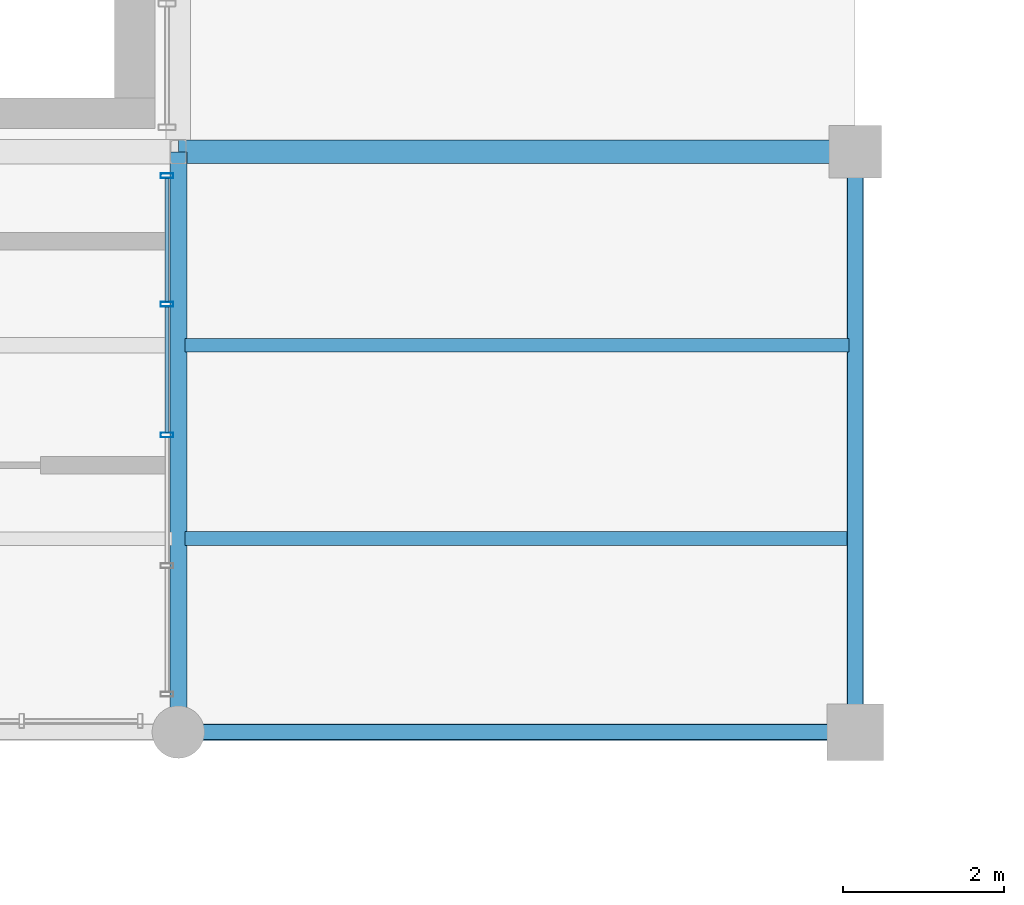
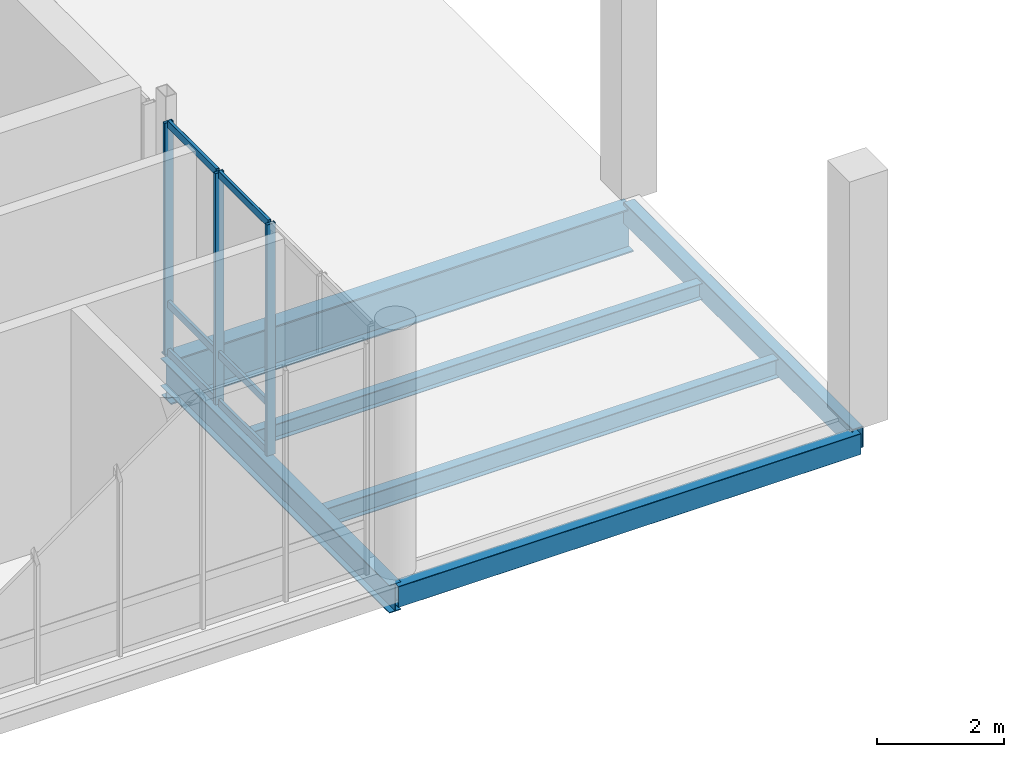
# One storey, part 33 of 81: 9 members, 6 beams, 1 element without a shape of its own.
"""IFC4 building model written with IfcOpenShell, lengths in metres."""

import ifcopenshell
import ifcopenshell.guid

model = None  # the IFC model being written
_history = None  # IfcOwnerHistory: only IFC2X3 demands one
_inside = {}  # id of a spatial element -> (the spatial element, [elements in it])
_under = {}  # id of a project, library or spatial element -> (it, [spatial elements below it])
_declared = {}  # id of a project -> (the project, [libraries it declares])
_typed = {}  # id of a type object -> (the type object, [elements of that type])
_made_of = {}  # id of a material, layer set ... -> (it, [elements and type objects made of it])


def new_model(schema):
    """Start an empty IFC model of exactly this schema.

    Asked for "IFC4X3", IfcOpenShell would pick the latest addendum, in which some entities
    have other attributes; the version numbers below select the first issue.
    IFC2X3 requires an IfcOwnerHistory on every rooted entity: one is made here for all.
    """
    global model, _history
    if schema == "IFC4X3":
        model = ifcopenshell.file(schema_version=(4, 3, 0, 0))
    else:
        model = ifcopenshell.file(schema=schema)
    _inside.clear()
    _under.clear()
    _declared.clear()
    _typed.clear()
    _made_of.clear()
    _history = None
    if model.schema == "IFC2X3":
        org = make("IfcOrganization", Name="unknown")
        user = make(
            "IfcPersonAndOrganization",
            ThePerson=make("IfcPerson", FamilyName="unknown"),
            TheOrganization=org,
        )
        app = make(
            "IfcApplication",
            ApplicationDeveloper=org,
            Version="unknown",
            ApplicationFullName="unknown",
            ApplicationIdentifier="unknown",
        )
        _history = make(
            "IfcOwnerHistory",
            OwningUser=user,
            OwningApplication=app,
            ChangeAction="ADDED",
            CreationDate=0,
        )
    return model


def make(cls, **values):
    """One entity of the class cls with the attributes given. An attribute that is None is left unset."""
    return model.create_entity(
        cls, **{name: value for name, value in values.items() if value is not None}
    )


def rooted(cls, **values):
    """An entity with a GlobalId (a new one), such as an element, a storey or a relation."""
    return make(cls, GlobalId=ifcopenshell.guid.new(), OwnerHistory=_history, **values)


def si_unit(unit_type, name, prefix=None):
    """IfcSIUnit, for example si_unit("LENGTHUNIT", "METRE", prefix="MILLI")."""
    return make("IfcSIUnit", UnitType=unit_type, Prefix=prefix, Name=name)


def assignment(units):
    """IfcUnitAssignment: the units of a project."""
    return None if units is None else make("IfcUnitAssignment", Units=units)


def point(xyz):
    """IfcCartesianPoint."""
    return None if xyz is None else make("IfcCartesianPoint", Coordinates=xyz)


def direction(xyz):
    """IfcDirection."""
    return None if xyz is None else make("IfcDirection", DirectionRatios=xyz)


def frame(location, z_axis=None, x_axis=None):
    """IfcAxis2Placement3D, a coordinate frame: its origin and axes. An axis left out is left unset."""
    return make(
        "IfcAxis2Placement3D",
        Location=point(location),
        Axis=direction(z_axis),
        RefDirection=direction(x_axis),
    )


def frame_2d(location, x_axis=None):
    """IfcAxis2Placement2D, a coordinate frame in the plane: its origin and x axis."""
    return make(
        "IfcAxis2Placement2D", Location=point(location), RefDirection=direction(x_axis)
    )


def origin_with_axes():
    """The frame at (0, 0, 0) with the z axis (0, 0, 1) and the x axis (1, 0, 0) written out."""
    return frame((0.0, 0.0, 0.0), z_axis=(0.0, 0.0, 1.0), x_axis=(1.0, 0.0, 0.0))


def origin_2d_with_axis():
    """The frame at (0, 0) in the plane with the x axis (1, 0) written out."""
    return frame_2d((0.0, 0.0), x_axis=(1.0, 0.0))


def place(relative_to, where):
    """IfcLocalPlacement: puts the frame where relative to a parent placement (None: the world)."""
    return make(
        "IfcLocalPlacement", PlacementRelTo=relative_to, RelativePlacement=where
    )


def context(
    kind, dimensions, precision=None, world=None, true_north=None, identifier=None
):
    """IfcGeometricRepresentationContext, for example the 3D "Model" context."""
    return make(
        "IfcGeometricRepresentationContext",
        ContextIdentifier=identifier,
        ContextType=kind,
        CoordinateSpaceDimension=dimensions,
        Precision=precision,
        WorldCoordinateSystem=world,
        TrueNorth=true_north,
    )


def subcontext(parent, identifier, kind, view, scale=None):
    """IfcGeometricRepresentationSubContext, for example "Body" below "Model"."""
    return make(
        "IfcGeometricRepresentationSubContext",
        ContextIdentifier=identifier,
        ContextType=kind,
        ParentContext=parent,
        TargetScale=scale,
        TargetView=view,
    )


def project(units=None, contexts=None):
    """IfcProject with its units and contexts."""
    return rooted(
        "IfcProject",
        Name="project",
        RepresentationContexts=contexts,
        UnitsInContext=assignment(units),
    )


def spatial(cls, under=None, at=None, **own):
    """A site, building, storey or space (cls), placed at a placement, below another one or the project."""
    s = rooted(cls, ObjectPlacement=at, **own)
    if under is not None:
        _under.setdefault(under.id(), (under, []))[1].append(s)
    return s


def profile(cls, at=None, kind="AREA", **sizes):
    """A parametric profile (cls). Its sizes go by their IFC names, for example OverallWidth=200.0."""
    return make(cls, ProfileType=kind, Position=at, **sizes)


def hollow_rectangle(**sizes):
    """IfcRectangleHollowProfileDef."""
    return profile("IfcRectangleHollowProfileDef", **sizes)


def i_section(**sizes):
    """IfcIShapeProfileDef."""
    return profile("IfcIShapeProfileDef", **sizes)


def extrude(swept, where, along, depth):
    """IfcExtrudedAreaSolid: the profile swept, set in the frame where, extruded along a direction by depth."""
    return make(
        "IfcExtrudedAreaSolid",
        SweptArea=swept,
        Position=where,
        ExtrudedDirection=direction(along),
        Depth=depth,
    )


def shape(context_of_items, identifier, shape_type, items):
    """IfcShapeRepresentation: the items that make up one representation, for example the "Body"."""
    return make(
        "IfcShapeRepresentation",
        ContextOfItems=context_of_items,
        RepresentationIdentifier=identifier,
        RepresentationType=shape_type,
        Items=items,
    )


def material(Name=None, Category=None):
    """IfcMaterial."""
    return make("IfcMaterial", Name=Name, Category=Category)


def material_profile(
    of_material, cross_section, Name=None, Category=None, Priority=None
):
    """IfcMaterialProfile: a cross section and its material."""
    return make(
        "IfcMaterialProfile",
        Name=Name,
        Material=of_material,
        Profile=cross_section,
        Priority=Priority,
        Category=Category,
    )


def profile_set(profiles, Name=None, composite=None):
    """IfcMaterialProfileSet."""
    return make(
        "IfcMaterialProfileSet",
        Name=Name,
        MaterialProfiles=profiles,
        CompositeProfile=composite,
    )


def made_of(thing, what):
    """Note that an element or type object is made of a material, layer set ...; save() writes the relation."""
    if what is not None:
        _made_of.setdefault(what.id(), (what, []))[1].append(thing)
    return thing


def type_object(cls, material=None, **own):
    """A type object (cls), such as IfcWallType, which elements share."""
    return made_of(rooted(cls, **own), material)


def element(
    cls,
    number,
    at=None,
    inside=None,
    cuts=None,
    type_object=None,
    material=None,
    context=None,
    identifier="Body",
    shape_type=None,
    held_by="IfcProductDefinitionShape",
    body=None,
    shapes=None,
    **own,
):
    """One element of the class cls, such as IfcWall. Its Tag is "e" and its number.

    at: its placement. inside: the storey or other place that contains it. cuts: it is an
    opening in that element (IfcRelVoidsElement). A single representation is given by context,
    identifier, shape_type and body (its items); several are given by shapes. held_by: the class
    of the entity that holds the representations. save() writes the other relations.
    """
    e = rooted(cls, Tag="e%d" % number, ObjectPlacement=at, **own)
    if body is not None:
        shapes = [shape(context, identifier, shape_type, body)]
    if shapes is not None:
        e.Representation = make(held_by, Representations=shapes)
    if inside is not None:
        _inside.setdefault(inside.id(), (inside, []))[1].append(e)
    if cuts is not None:
        rooted(
            "IfcRelVoidsElement", RelatingBuildingElement=cuts, RelatedOpeningElement=e
        )
    if type_object is not None:
        _typed.setdefault(type_object.id(), (type_object, []))[1].append(e)
    return made_of(e, material)


def aggregate(whole, parts):
    """IfcRelAggregates: a whole, such as a stair, and the parts it consists of."""
    return rooted("IfcRelAggregates", RelatingObject=whole, RelatedObjects=parts)


def save(model, path):
    """Write the relations noted so far, then the file.

    IfcRelAggregates (storeys below a building ...), IfcRelContainedInSpatialStructure (elements
    in a storey), IfcRelDefinesByType, IfcRelAssociatesMaterial and IfcRelDeclares: one each for
    every whole, place, type object, material and project.
    """
    for whole, parts in _under.values():
        aggregate(whole, parts)
    for where, things in _inside.values():
        rooted(
            "IfcRelContainedInSpatialStructure",
            RelatedElements=things,
            RelatingStructure=where,
        )
    for kind, things in _typed.values():
        rooted("IfcRelDefinesByType", RelatedObjects=things, RelatingType=kind)
    for what, things in _made_of.values():
        rooted("IfcRelAssociatesMaterial", RelatedObjects=things, RelatingMaterial=what)
    for by, libraries in _declared.values():
        rooted("IfcRelDeclares", RelatingContext=by, RelatedDefinitions=libraries)
    model.write(path)


model = new_model("IFC4")

# Units and contexts
model_context = context("Model", 3, precision=1e-05, world=origin_with_axes(), true_north=direction((0.0, 1.0)))
body_context = subcontext(model_context, "Body", "Model", "MODEL_VIEW")
ifc_project = project(units=[si_unit("LENGTHUNIT", "METRE"), si_unit("AREAUNIT", "SQUARE_METRE"), si_unit("VOLUMEUNIT", "CUBIC_METRE"), si_unit("PLANEANGLEUNIT", "RADIAN"), si_unit("MASSUNIT", "GRAM", prefix="KILO"), si_unit("THERMODYNAMICTEMPERATUREUNIT", "KELVIN")], contexts=[model_context])

# Site, building, storey
site_placement = place(None, origin_with_axes())
site = spatial("IfcSite", under=ifc_project, at=site_placement, CompositionType="ELEMENT")
building_placement = place(site_placement, origin_with_axes())
building = spatial("IfcBuilding", under=site, at=building_placement, Name="Montbau Bow Law Courts", CompositionType="ELEMENT")
storey_placement = place(building_placement, frame((0.0, 0.0, 24.9), z_axis=(0.0, 0.0, 1.0), x_axis=(1.0, 0.0, 0.0)))
storey = spatial("IfcBuildingStorey", under=building, at=storey_placement, Name="L05", CompositionType="ELEMENT", Elevation=24.9)

# Beams
ifc_material_1 = material(Name="Steel CSA G40.21 Grade 350W (350 MPa)", Category="steel")
ifc_material_profile_1 = material_profile(ifc_material_1, i_section(OverallWidth=0.293, OverallDepth=0.846, WebThickness=0.0154, FlangeThickness=0.0244, at=origin_2d_with_axis()), Name="W840X210", Category="Main", Priority=0)
ifc_profile_set_1 = profile_set([ifc_material_profile_1], Name="Steel CSA G40.21 Grade 350W (350 MPa)")
beam_type_1 = type_object("IfcBeamType", Name="B-FLR-02", PredefinedType="BEAM", material=ifc_profile_set_1)
beam_1_placement = place(None, frame((88.8, 46.2, 24.177), z_axis=(1.0, 0.0, 0.0), x_axis=(0.0, 1.0, 0.0)))
element("IfcBeam", 1, at=beam_1_placement, inside=storey, type_object=beam_type_1, Name="BM-L05-S0967:bm2_0970", PredefinedType="BEAM", context=body_context, shape_type="SweptSolid", body=[
    extrude(i_section(OverallWidth=0.293, OverallDepth=0.846, WebThickness=0.0154, FlangeThickness=0.0244, at=origin_2d_with_axis()), origin_with_axes(), (0.0, 0.0, 1.0), 8.4),
])
ifc_material_profile_2 = material_profile(ifc_material_1, i_section(OverallWidth=0.21, OverallDepth=0.537, WebThickness=0.0109, FlangeThickness=0.0174, at=origin_2d_with_axis()), Name="W530X101", Category="Main", Priority=0)
ifc_profile_set_2 = profile_set([ifc_material_profile_2], Name="Steel CSA G40.21 Grade 350W (350 MPa)")
beam_type_2 = type_object("IfcBeamType", Name="B-FLR-06", PredefinedType="BEAM", material=ifc_profile_set_2)
beam_2_placement = place(None, frame((88.8, 39.0, 24.332), z_axis=(0.0, 1.0, 0.0), x_axis=(-1.0, 0.0, 0.0)))
element("IfcBeam", 2, at=beam_2_placement, inside=storey, type_object=beam_type_2, Name="BM-L05-S0991:bm2_0994", PredefinedType="BEAM", context=body_context, shape_type="SweptSolid", body=[
    extrude(i_section(OverallWidth=0.21, OverallDepth=0.537, WebThickness=0.0109, FlangeThickness=0.0174, at=origin_2d_with_axis()), origin_with_axes(), (0.0, 0.0, 1.0), 7.2),
])
ifc_material_profile_3 = material_profile(ifc_material_1, i_section(OverallWidth=0.172, OverallDepth=0.358, WebThickness=0.0079, FlangeThickness=0.0131, at=origin_2d_with_axis()), Name="W360X57", Category="Main", Priority=0)
ifc_profile_set_3 = profile_set([ifc_material_profile_3], Name="Steel CSA G40.21 Grade 350W (350 MPa)")
beam_type_3 = type_object("IfcBeamType", Name="B-JST-03", PredefinedType="JOIST", material=ifc_profile_set_3)
beam_3_placement = place(None, frame((88.881, 41.4, 24.421), z_axis=(1.0, 0.0, 0.0), x_axis=(0.0, 1.0, 0.0)))
element("IfcBeam", 3, at=beam_3_placement, inside=storey, type_object=beam_type_3, Name="JST-L05-S0506:jst2_0506", PredefinedType="JOIST", context=body_context, shape_type="SweptSolid", body=[
    extrude(i_section(OverallWidth=0.172, OverallDepth=0.358, WebThickness=0.0079, FlangeThickness=0.0131, at=origin_2d_with_axis()), origin_with_axes(), (0.0, 0.0, 1.0), 8.239),
])
ifc_material_profile_4 = material_profile(ifc_material_1, i_section(OverallWidth=0.166, OverallDepth=0.313, WebThickness=0.0066, FlangeThickness=0.0112, at=origin_2d_with_axis()), Name="W310X45", Category="Main", Priority=0)
ifc_profile_set_4 = profile_set([ifc_material_profile_4], Name="Steel CSA G40.21 Grade 350W (350 MPa)")
beam_type_4 = type_object("IfcBeamType", Name="B-JST-04", PredefinedType="JOIST", material=ifc_profile_set_4)
beam_4_placement = place(None, frame((88.881, 43.8, 24.444), z_axis=(1.0, 0.0, 0.0), x_axis=(0.0, 1.0, 0.0)))
element("IfcBeam", 4, at=beam_4_placement, inside=storey, type_object=beam_type_4, Name="JST-L05-S0507:jst2_0507", PredefinedType="JOIST", context=body_context, shape_type="SweptSolid", body=[
    extrude(i_section(OverallWidth=0.166, OverallDepth=0.313, WebThickness=0.0066, FlangeThickness=0.0112, at=origin_2d_with_axis()), origin_with_axes(), (0.0, 0.0, 1.0), 8.239),
])
ifc_material_2 = material(Name="Steel CSA G40.21 Grade 350WT (350 MPa)", Category="steel")
ifc_material_profile_5 = material_profile(ifc_material_2, hollow_rectangle(XDim=0.203, YDim=0.406, WallThickness=0.0127, InnerFilletRadius=0.0254, OuterFilletRadius=0.0127, at=origin_2d_with_axis()), Name="HSS406X203X13", Category="Main", Priority=0)
ifc_profile_set_5 = profile_set([ifc_material_profile_5], Name="Steel CSA G40.21 Grade 350WT (350 MPa)")
beam_type_5 = type_object("IfcBeamType", Name="B-SPN-01", PredefinedType="SPANDREL", material=ifc_profile_set_5)
beam_5_placement = place(None, frame((88.8, 39.0, 24.397), z_axis=(1.0, 0.0, 0.0), x_axis=(0.0, 1.0, 0.0)))
element("IfcBeam", 5, at=beam_5_placement, inside=storey, type_object=beam_type_5, Name="SPN-L05-S0961:bm2_0964", PredefinedType="SPANDREL", context=body_context, shape_type="SweptSolid", body=[
    extrude(hollow_rectangle(XDim=0.203, YDim=0.406, WallThickness=0.0127, InnerFilletRadius=0.0254, OuterFilletRadius=0.0127, at=origin_2d_with_axis()), origin_with_axes(), (0.0, 0.0, 1.0), 8.4),
])
beam_6_placement = place(None, frame((97.2, 39.0, 24.447), z_axis=(0.0, 1.0, 0.0), x_axis=(-1.0, 0.0, 0.0)))
element("IfcBeam", 6, at=beam_6_placement, inside=storey, type_object=beam_type_5, Name="SPN-L05-S0994:bm2_0997", PredefinedType="SPANDREL", context=body_context, shape_type="SweptSolid", body=[
    extrude(hollow_rectangle(XDim=0.203, YDim=0.406, WallThickness=0.0127, InnerFilletRadius=0.0254, OuterFilletRadius=0.0127, at=origin_2d_with_axis()), origin_with_axes(), (0.0, 0.0, 1.0), 7.2),
])

# Curtain wall, members
ifc_material_3 = material(Name="Thermally Broken Extruded Aluminium AA 6063-T6", Category="aluminium")
curtain_wall_type = type_object("IfcCurtainWallType", Name="CW-NCK-02", PredefinedType="NOTDEFINED", material=ifc_material_3)
curtain_wall_placement = place(None, frame((88.66, 39.44, 24.9), z_axis=(0.0, 0.0, 1.0), x_axis=(1.0, 0.0, 0.0)))
curtain_wall = element("IfcCurtainWall", 7, at=curtain_wall_placement, inside=storey, type_object=curtain_wall_type, Name="CW-L05-221:cw_0221", PredefinedType="NOTDEFINED")
ifc_material_profile_6 = material_profile(ifc_material_3, hollow_rectangle(XDim=0.06, YDim=0.16, WallThickness=0.004, InnerFilletRadius=0.008, OuterFilletRadius=0.004, at=origin_2d_with_axis()), Name="CWM-160X60", Category="Main", Priority=0)
ifc_profile_set_6 = profile_set([ifc_material_profile_6], Name="Thermally Broken Extruded Aluminium AA 6063-T6")
member_type_1 = type_object("IfcMemberType", Name="M-MUL-03", PredefinedType="MULLION", material=ifc_profile_set_6)
member_1_placement = place(None, frame((88.66, 42.686, 24.9), z_axis=(0.0, 0.0, 1.0), x_axis=(0.0, 1.0, 0.0)))
member_1 = element("IfcMember", 8, at=member_1_placement, type_object=member_type_1, Name="CW-L05-221-M03:cw_0221_M03", PredefinedType="MULLION", context=body_context, shape_type="SweptSolid", body=[
    extrude(hollow_rectangle(XDim=0.06, YDim=0.16, WallThickness=0.004, InnerFilletRadius=0.008, OuterFilletRadius=0.004, at=origin_2d_with_axis()), origin_with_axes(), (0.0, 0.0, 1.0), 4.44),
])
member_2_placement = place(None, frame((88.66, 44.309, 24.9), z_axis=(0.0, 0.0, 1.0), x_axis=(0.0, 1.0, 0.0)))
member_2 = element("IfcMember", 9, at=member_2_placement, type_object=member_type_1, Name="CW-L05-221-M04:cw_0221_M04", PredefinedType="MULLION", context=body_context, shape_type="SweptSolid", body=[
    extrude(hollow_rectangle(XDim=0.06, YDim=0.16, WallThickness=0.004, InnerFilletRadius=0.008, OuterFilletRadius=0.004, at=origin_2d_with_axis()), origin_with_axes(), (0.0, 0.0, 1.0), 4.44),
])
member_3_placement = place(None, frame((88.66, 45.902, 24.9), z_axis=(0.0, 0.0, 1.0), x_axis=(0.0, 1.0, 0.0)))
member_3 = element("IfcMember", 10, at=member_3_placement, type_object=member_type_1, Name="CW-L05-221-M05:cw_0221_M05", PredefinedType="MULLION", context=body_context, shape_type="SweptSolid", body=[
    extrude(hollow_rectangle(XDim=0.06, YDim=0.16, WallThickness=0.004, InnerFilletRadius=0.008, OuterFilletRadius=0.004, at=origin_2d_with_axis()), origin_with_axes(), (0.0, 0.0, 1.0), 4.44),
])
ifc_material_profile_7 = material_profile(ifc_material_3, hollow_rectangle(XDim=0.055, YDim=0.14, WallThickness=0.004, InnerFilletRadius=0.008, OuterFilletRadius=0.004, at=origin_2d_with_axis()), Name="CWT-140X55", Category="Main", Priority=0)
ifc_profile_set_7 = profile_set([ifc_material_profile_7], Name="Thermally Broken Extruded Aluminium AA 6063-T6")
member_type_2 = type_object("IfcMemberType", Name="M-TRN-02", PredefinedType="USERDEFINED", material=ifc_profile_set_7)
member_4_placement = place(None, frame((88.66, 42.718, 24.927), z_axis=(0.0, 1.0, 0.0), x_axis=(-1.0, 0.0, 0.0)))
member_4 = element("IfcMember", 11, at=member_4_placement, type_object=member_type_2, Name="CW-L05-221-T03-1:cw_0221_T03_1", ObjectType="TRANSOM", PredefinedType="USERDEFINED", context=body_context, shape_type="SweptSolid", body=[
    extrude(hollow_rectangle(XDim=0.055, YDim=0.14, WallThickness=0.004, InnerFilletRadius=0.008, OuterFilletRadius=0.004, at=origin_2d_with_axis()), origin_with_axes(), (0.0, 0.0, 1.0), 1.559),
])
member_5_placement = place(None, frame((88.66, 42.718, 25.85), z_axis=(0.0, 1.0, 0.0), x_axis=(-1.0, 0.0, 0.0)))
member_5 = element("IfcMember", 12, at=member_5_placement, type_object=member_type_2, Name="CW-L05-221-T03-2:cw_0221_T03_2", ObjectType="TRANSOM", PredefinedType="USERDEFINED", context=body_context, shape_type="SweptSolid", body=[
    extrude(hollow_rectangle(XDim=0.055, YDim=0.14, WallThickness=0.004, InnerFilletRadius=0.008, OuterFilletRadius=0.004, at=origin_2d_with_axis()), origin_with_axes(), (0.0, 0.0, 1.0), 1.559),
])
member_6_placement = place(None, frame((88.66, 42.718, 29.312), z_axis=(0.0, 1.0, 0.0), x_axis=(-1.0, 0.0, 0.0)))
member_6 = element("IfcMember", 13, at=member_6_placement, type_object=member_type_2, Name="CW-L05-221-T03-3:cw_0221_T03_3", ObjectType="TRANSOM", PredefinedType="USERDEFINED", context=body_context, shape_type="SweptSolid", body=[
    extrude(hollow_rectangle(XDim=0.055, YDim=0.14, WallThickness=0.004, InnerFilletRadius=0.008, OuterFilletRadius=0.004, at=origin_2d_with_axis()), origin_with_axes(), (0.0, 0.0, 1.0), 1.559),
])
member_7_placement = place(None, frame((88.66, 44.341, 24.927), z_axis=(0.0, 1.0, 0.0), x_axis=(-1.0, 0.0, 0.0)))
member_7 = element("IfcMember", 14, at=member_7_placement, type_object=member_type_2, Name="CW-L05-221-T04-1:cw_0221_T04_1", ObjectType="TRANSOM", PredefinedType="USERDEFINED", context=body_context, shape_type="SweptSolid", body=[
    extrude(hollow_rectangle(XDim=0.055, YDim=0.14, WallThickness=0.004, InnerFilletRadius=0.008, OuterFilletRadius=0.004, at=origin_2d_with_axis()), origin_with_axes(), (0.0, 0.0, 1.0), 1.529),
])
member_8_placement = place(None, frame((88.66, 44.341, 25.85), z_axis=(0.0, 1.0, 0.0), x_axis=(-1.0, 0.0, 0.0)))
member_8 = element("IfcMember", 15, at=member_8_placement, type_object=member_type_2, Name="CW-L05-221-T04-2:cw_0221_T04_2", ObjectType="TRANSOM", PredefinedType="USERDEFINED", context=body_context, shape_type="SweptSolid", body=[
    extrude(hollow_rectangle(XDim=0.055, YDim=0.14, WallThickness=0.004, InnerFilletRadius=0.008, OuterFilletRadius=0.004, at=origin_2d_with_axis()), origin_with_axes(), (0.0, 0.0, 1.0), 1.529),
])
member_9_placement = place(None, frame((88.66, 44.341, 29.312), z_axis=(0.0, 1.0, 0.0), x_axis=(-1.0, 0.0, 0.0)))
member_9 = element("IfcMember", 16, at=member_9_placement, type_object=member_type_2, Name="CW-L05-221-T04-3:cw_0221_T04_3", ObjectType="TRANSOM", PredefinedType="USERDEFINED", context=body_context, shape_type="SweptSolid", body=[
    extrude(hollow_rectangle(XDim=0.055, YDim=0.14, WallThickness=0.004, InnerFilletRadius=0.008, OuterFilletRadius=0.004, at=origin_2d_with_axis()), origin_with_axes(), (0.0, 0.0, 1.0), 1.529),
])
aggregate(curtain_wall, [member_1, member_2, member_3, member_4, member_5, member_6, member_7, member_8, member_9])

save(model, "model.ifc")
